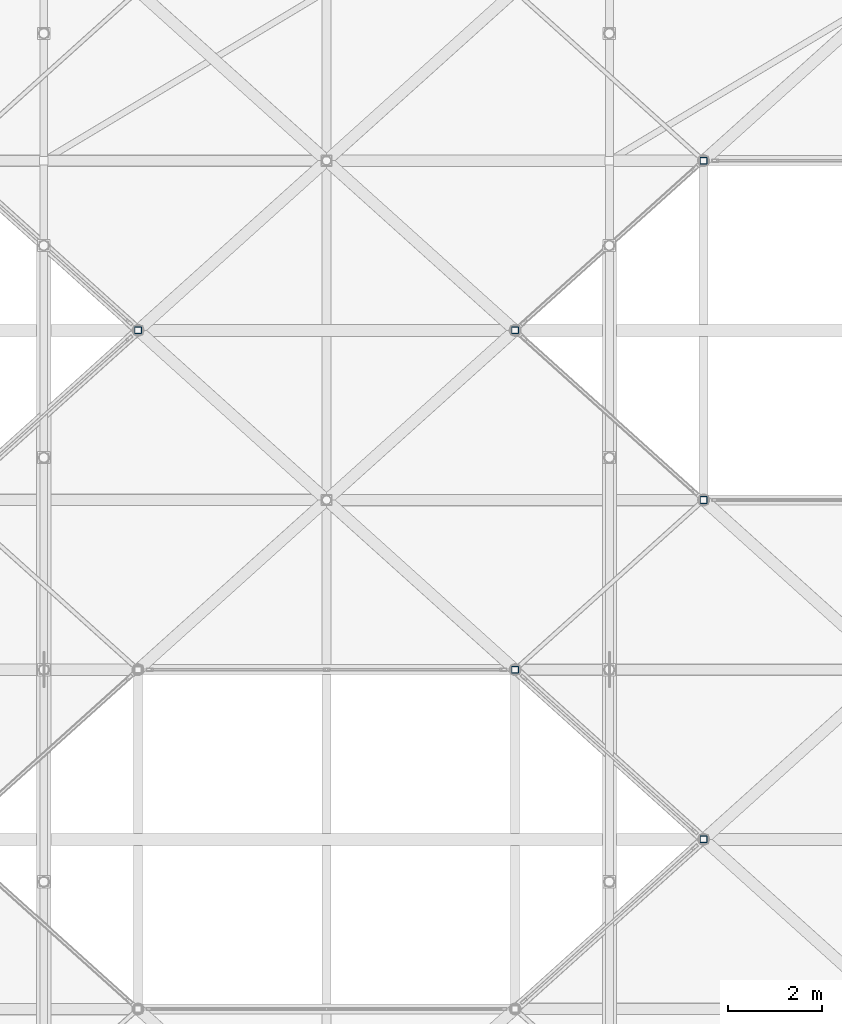
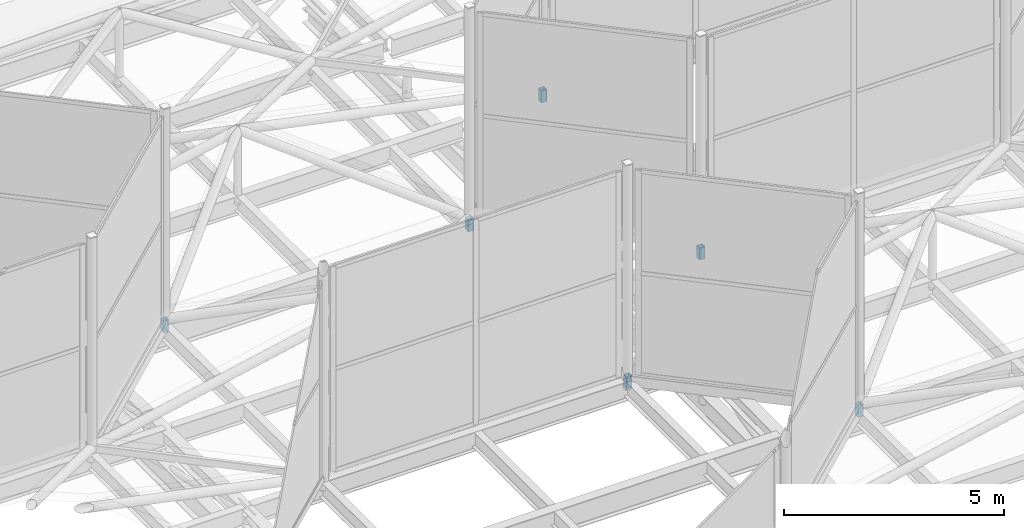
# One storey, part 201 of 239: 6 members.
"""IFC4 building model written with IfcOpenShell, lengths in metres."""

from ifc_helpers import new_model, si_unit, direction, frame, origin, origin_2d, place, context, subcontext, project, spatial, hollow_rectangle, extrude, material, material_profile, profile_set, type_object, element, save


model = new_model("IFC4")

# Units and contexts
model_context = context("Model", 3, precision=1e-05, world=origin(), true_north=direction((0.0, 1.0)))
body_context = subcontext(model_context, "Body", "Model", "MODEL_VIEW")
ifc_project = project(units=[si_unit("LENGTHUNIT", "METRE"), si_unit("AREAUNIT", "SQUARE_METRE"), si_unit("VOLUMEUNIT", "CUBIC_METRE"), si_unit("PLANEANGLEUNIT", "RADIAN"), si_unit("MASSUNIT", "GRAM", prefix="KILO")], contexts=[model_context])

# Site, building, storey
site_placement = place(None, origin())
site = spatial("IfcSite", under=ifc_project, at=site_placement, CompositionType="ELEMENT")
building_placement = place(site_placement, origin())
building = spatial("IfcBuilding", under=site, at=building_placement, Name="Dunvalen Ferry Terminal", CompositionType="ELEMENT")
storey_placement = place(building_placement, frame((0.0, 0.0, 9.840087890625)))
storey = spatial("IfcBuildingStorey", under=building, at=storey_placement, Name="L02", CompositionType="ELEMENT", Elevation=9.840087890625)

# Members
ifc_material = material(Name="Steel S355", Category="steel")
ifc_material_profile = material_profile(ifc_material, hollow_rectangle(XDim=0.14990234375, YDim=0.14990234375, WallThickness=0.008056640625, InnerFilletRadius=0.008056640625, OuterFilletRadius=0.01611328125, at=origin_2d()), Name="Steel S355")
ifc_profile_set = profile_set([ifc_material_profile], Name="Steel S355")
member_type = type_object("IfcMemberType", Name="STR-MB-SHS150", PredefinedType="BRACE", material=ifc_profile_set)
for number, where, z_axis, x_axis, name in (
    (1, (58.0, 68.39990234375, 0.77001953125), (0.0, 0.0, 1.0), (1.0, 0.0, 0.0), "HEX-26 Rim Pedestal Strut 3"),
    (2, (62.0, 72.0, 0.77001953125), (0.0, 0.0, 1.0), (1.0, 0.0, 0.0), "HEX-26 Rim Pedestal Strut 4"),
    (3, (58.0, 75.60009765625, 0.77001953125), (0.0, 0.0, 1.0), (1.0, 0.0, 0.0), "HEX-26 Rim Pedestal Strut 5"),
    (4, (50.0, 75.60009765625, 0.77001953125), (0.0, 0.0, 1.0), (1.0, 0.0, 0.0), "HEX-26 Rim Pedestal Strut 6"),
    (5, (62.0, 79.199951171875, 0.77001953125), (0.0, 0.0, 1.0), (1.0, 0.0, 0.0), "HEX-27 Rim Pedestal Strut 4"),
    (6, (62.0, 64.800048828125, 0.77001953125), (0.0, 0.0, 1.0), (1.0, 0.0, 0.0), "HEX-30 Rim Pedestal Strut 6"),
):
    element("IfcMember", number, at=place(storey_placement, frame(where, z_axis=z_axis, x_axis=x_axis)), inside=storey, type_object=member_type, Name=name, PredefinedType="BRACE", context=body_context, shape_type="SweptSolid", body=[
        extrude(hollow_rectangle(XDim=0.14990234375, YDim=0.14990234375, WallThickness=0.008056640625, InnerFilletRadius=0.008056640625, OuterFilletRadius=0.01611328125, at=origin_2d()), origin(), (0.0, 0.0, 1.0), 0.329833984375),
    ])

save(model, "model.ifc")
